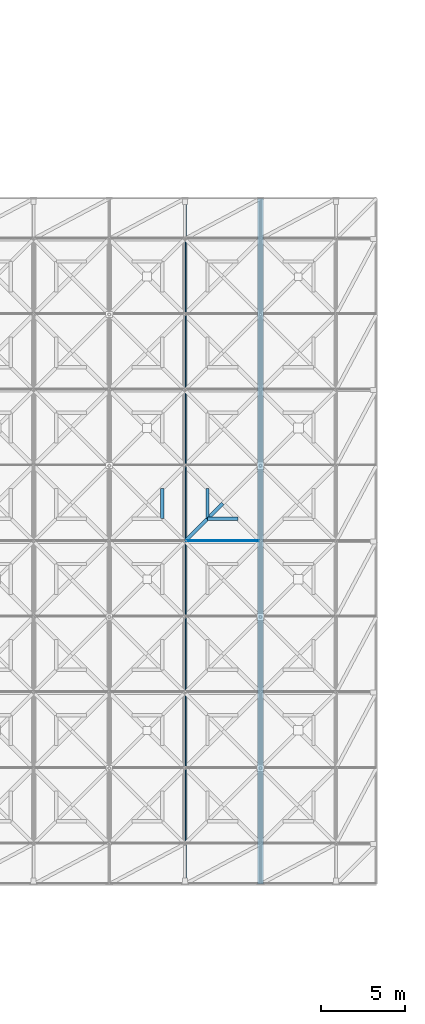
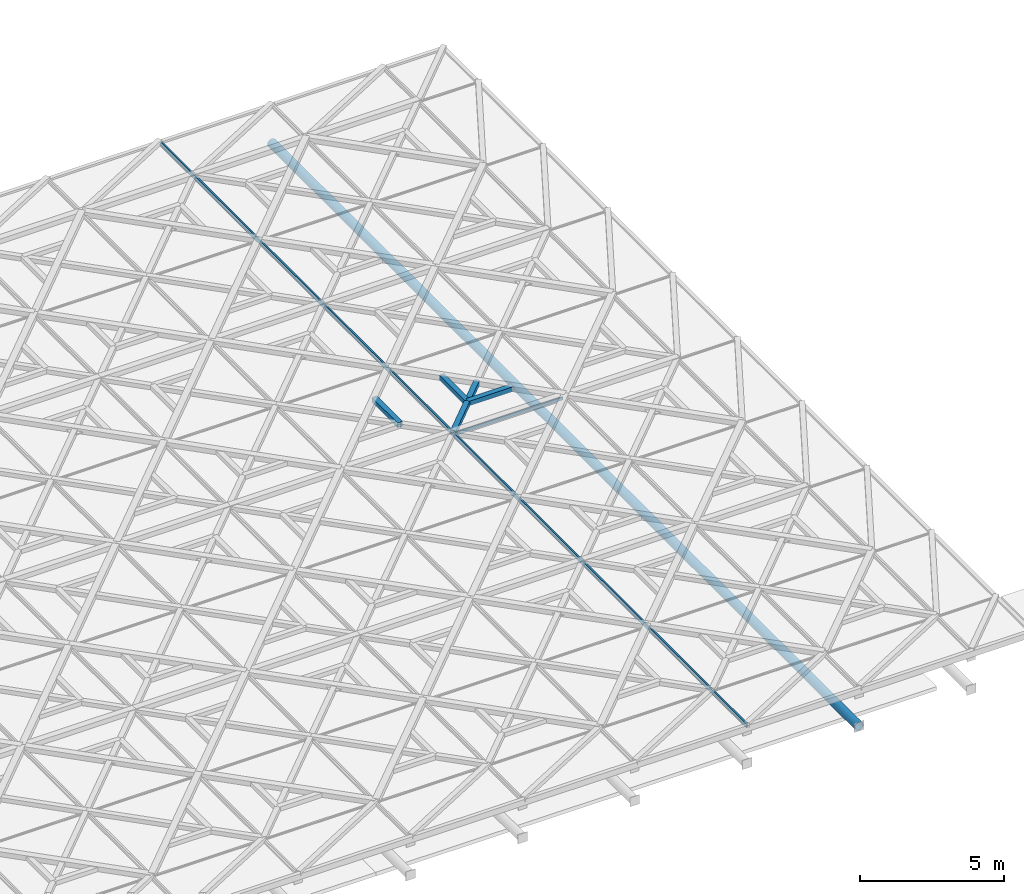
# One storey, part 45 of 80: 7 members, 1 element without a shape of its own.
"""IFC4 building model written with IfcOpenShell, lengths in metres."""

import ifcopenshell
import ifcopenshell.guid

model = None  # the IFC model being written
_history = None  # IfcOwnerHistory: only IFC2X3 demands one
_inside = {}  # id of a spatial element -> (the spatial element, [elements in it])
_under = {}  # id of a project, library or spatial element -> (it, [spatial elements below it])
_declared = {}  # id of a project -> (the project, [libraries it declares])
_typed = {}  # id of a type object -> (the type object, [elements of that type])
_made_of = {}  # id of a material, layer set ... -> (it, [elements and type objects made of it])


def new_model(schema):
    """Start an empty IFC model of exactly this schema.

    Asked for "IFC4X3", IfcOpenShell would pick the latest addendum, in which some entities
    have other attributes; the version numbers below select the first issue.
    IFC2X3 requires an IfcOwnerHistory on every rooted entity: one is made here for all.
    """
    global model, _history
    if schema == "IFC4X3":
        model = ifcopenshell.file(schema_version=(4, 3, 0, 0))
    else:
        model = ifcopenshell.file(schema=schema)
    _inside.clear()
    _under.clear()
    _declared.clear()
    _typed.clear()
    _made_of.clear()
    _history = None
    if model.schema == "IFC2X3":
        org = make("IfcOrganization", Name="unknown")
        user = make(
            "IfcPersonAndOrganization",
            ThePerson=make("IfcPerson", FamilyName="unknown"),
            TheOrganization=org,
        )
        app = make(
            "IfcApplication",
            ApplicationDeveloper=org,
            Version="unknown",
            ApplicationFullName="unknown",
            ApplicationIdentifier="unknown",
        )
        _history = make(
            "IfcOwnerHistory",
            OwningUser=user,
            OwningApplication=app,
            ChangeAction="ADDED",
            CreationDate=0,
        )
    return model


def make(cls, **values):
    """One entity of the class cls with the attributes given. An attribute that is None is left unset."""
    return model.create_entity(
        cls, **{name: value for name, value in values.items() if value is not None}
    )


def rooted(cls, **values):
    """An entity with a GlobalId (a new one), such as an element, a storey or a relation."""
    return make(cls, GlobalId=ifcopenshell.guid.new(), OwnerHistory=_history, **values)


def si_unit(unit_type, name, prefix=None):
    """IfcSIUnit, for example si_unit("LENGTHUNIT", "METRE", prefix="MILLI")."""
    return make("IfcSIUnit", UnitType=unit_type, Prefix=prefix, Name=name)


def assignment(units):
    """IfcUnitAssignment: the units of a project."""
    return None if units is None else make("IfcUnitAssignment", Units=units)


def point(xyz):
    """IfcCartesianPoint."""
    return None if xyz is None else make("IfcCartesianPoint", Coordinates=xyz)


def direction(xyz):
    """IfcDirection."""
    return None if xyz is None else make("IfcDirection", DirectionRatios=xyz)


def frame(location, z_axis=None, x_axis=None):
    """IfcAxis2Placement3D, a coordinate frame: its origin and axes. An axis left out is left unset."""
    return make(
        "IfcAxis2Placement3D",
        Location=point(location),
        Axis=direction(z_axis),
        RefDirection=direction(x_axis),
    )


def frame_2d(location, x_axis=None):
    """IfcAxis2Placement2D, a coordinate frame in the plane: its origin and x axis."""
    return make(
        "IfcAxis2Placement2D", Location=point(location), RefDirection=direction(x_axis)
    )


def origin():
    """The frame at (0, 0, 0) with its axes left unset."""
    return frame((0.0, 0.0, 0.0))


def origin_2d():
    """The frame at (0, 0) in the plane with its x axis left unset."""
    return frame_2d((0.0, 0.0))


def place(relative_to, where):
    """IfcLocalPlacement: puts the frame where relative to a parent placement (None: the world)."""
    return make(
        "IfcLocalPlacement", PlacementRelTo=relative_to, RelativePlacement=where
    )


def context(
    kind, dimensions, precision=None, world=None, true_north=None, identifier=None
):
    """IfcGeometricRepresentationContext, for example the 3D "Model" context."""
    return make(
        "IfcGeometricRepresentationContext",
        ContextIdentifier=identifier,
        ContextType=kind,
        CoordinateSpaceDimension=dimensions,
        Precision=precision,
        WorldCoordinateSystem=world,
        TrueNorth=true_north,
    )


def subcontext(parent, identifier, kind, view, scale=None):
    """IfcGeometricRepresentationSubContext, for example "Body" below "Model"."""
    return make(
        "IfcGeometricRepresentationSubContext",
        ContextIdentifier=identifier,
        ContextType=kind,
        ParentContext=parent,
        TargetScale=scale,
        TargetView=view,
    )


def project(units=None, contexts=None):
    """IfcProject with its units and contexts."""
    return rooted(
        "IfcProject",
        Name="project",
        RepresentationContexts=contexts,
        UnitsInContext=assignment(units),
    )


def spatial(cls, under=None, at=None, **own):
    """A site, building, storey or space (cls), placed at a placement, below another one or the project."""
    s = rooted(cls, ObjectPlacement=at, **own)
    if under is not None:
        _under.setdefault(under.id(), (under, []))[1].append(s)
    return s


def profile(cls, at=None, kind="AREA", **sizes):
    """A parametric profile (cls). Its sizes go by their IFC names, for example OverallWidth=200.0."""
    return make(cls, ProfileType=kind, Position=at, **sizes)


def rectangle(**sizes):
    """IfcRectangleProfileDef."""
    return profile("IfcRectangleProfileDef", **sizes)


def hollow_rectangle(**sizes):
    """IfcRectangleHollowProfileDef."""
    return profile("IfcRectangleHollowProfileDef", **sizes)


def hollow_circle(**sizes):
    """IfcCircleHollowProfileDef."""
    return profile("IfcCircleHollowProfileDef", **sizes)


def extrude(swept, where, along, depth):
    """IfcExtrudedAreaSolid: the profile swept, set in the frame where, extruded along a direction by depth."""
    return make(
        "IfcExtrudedAreaSolid",
        SweptArea=swept,
        Position=where,
        ExtrudedDirection=direction(along),
        Depth=depth,
    )


def shape(context_of_items, identifier, shape_type, items):
    """IfcShapeRepresentation: the items that make up one representation, for example the "Body"."""
    return make(
        "IfcShapeRepresentation",
        ContextOfItems=context_of_items,
        RepresentationIdentifier=identifier,
        RepresentationType=shape_type,
        Items=items,
    )


def material(Name=None, Category=None):
    """IfcMaterial."""
    return make("IfcMaterial", Name=Name, Category=Category)


def material_profile(
    of_material, cross_section, Name=None, Category=None, Priority=None
):
    """IfcMaterialProfile: a cross section and its material."""
    return make(
        "IfcMaterialProfile",
        Name=Name,
        Material=of_material,
        Profile=cross_section,
        Priority=Priority,
        Category=Category,
    )


def profile_set(profiles, Name=None, composite=None):
    """IfcMaterialProfileSet."""
    return make(
        "IfcMaterialProfileSet",
        Name=Name,
        MaterialProfiles=profiles,
        CompositeProfile=composite,
    )


def made_of(thing, what):
    """Note that an element or type object is made of a material, layer set ...; save() writes the relation."""
    if what is not None:
        _made_of.setdefault(what.id(), (what, []))[1].append(thing)
    return thing


def type_object(cls, material=None, **own):
    """A type object (cls), such as IfcWallType, which elements share."""
    return made_of(rooted(cls, **own), material)


def element(
    cls,
    number,
    at=None,
    inside=None,
    cuts=None,
    type_object=None,
    material=None,
    context=None,
    identifier="Body",
    shape_type=None,
    held_by="IfcProductDefinitionShape",
    body=None,
    shapes=None,
    **own,
):
    """One element of the class cls, such as IfcWall. Its Tag is "e" and its number.

    at: its placement. inside: the storey or other place that contains it. cuts: it is an
    opening in that element (IfcRelVoidsElement). A single representation is given by context,
    identifier, shape_type and body (its items); several are given by shapes. held_by: the class
    of the entity that holds the representations. save() writes the other relations.
    """
    e = rooted(cls, Tag="e%d" % number, ObjectPlacement=at, **own)
    if body is not None:
        shapes = [shape(context, identifier, shape_type, body)]
    if shapes is not None:
        e.Representation = make(held_by, Representations=shapes)
    if inside is not None:
        _inside.setdefault(inside.id(), (inside, []))[1].append(e)
    if cuts is not None:
        rooted(
            "IfcRelVoidsElement", RelatingBuildingElement=cuts, RelatedOpeningElement=e
        )
    if type_object is not None:
        _typed.setdefault(type_object.id(), (type_object, []))[1].append(e)
    return made_of(e, material)


def aggregate(whole, parts):
    """IfcRelAggregates: a whole, such as a stair, and the parts it consists of."""
    return rooted("IfcRelAggregates", RelatingObject=whole, RelatedObjects=parts)


def save(model, path):
    """Write the relations noted so far, then the file.

    IfcRelAggregates (storeys below a building ...), IfcRelContainedInSpatialStructure (elements
    in a storey), IfcRelDefinesByType, IfcRelAssociatesMaterial and IfcRelDeclares: one each for
    every whole, place, type object, material and project.
    """
    for whole, parts in _under.values():
        aggregate(whole, parts)
    for where, things in _inside.values():
        rooted(
            "IfcRelContainedInSpatialStructure",
            RelatedElements=things,
            RelatingStructure=where,
        )
    for kind, things in _typed.values():
        rooted("IfcRelDefinesByType", RelatedObjects=things, RelatingType=kind)
    for what, things in _made_of.values():
        rooted("IfcRelAssociatesMaterial", RelatedObjects=things, RelatingMaterial=what)
    for by, libraries in _declared.values():
        rooted("IfcRelDeclares", RelatingContext=by, RelatedDefinitions=libraries)
    model.write(path)


model = new_model("IFC4")

# Units and contexts
model_context = context("Model", 3, precision=1e-05, world=origin(), true_north=direction((0.0, 1.0)))
body_context = subcontext(model_context, "Body", "Model", "MODEL_VIEW")
ifc_project = project(units=[si_unit("LENGTHUNIT", "METRE"), si_unit("AREAUNIT", "SQUARE_METRE"), si_unit("VOLUMEUNIT", "CUBIC_METRE"), si_unit("PLANEANGLEUNIT", "RADIAN"), si_unit("MASSUNIT", "GRAM", prefix="KILO"), si_unit("THERMODYNAMICTEMPERATUREUNIT", "KELVIN"), si_unit("POWERUNIT", "WATT")], contexts=[model_context])

# Site, building, storey
site_placement = place(None, origin())
site = spatial("IfcSite", under=ifc_project, at=site_placement, CompositionType="ELEMENT")
building_placement = place(site_placement, origin())
building = spatial("IfcBuilding", under=site, at=building_placement, Name="Tallowbark Science Centre", CompositionType="ELEMENT")
storey_placement = place(building_placement, frame((0.0, 0.0, 25.949951171875)))
storey = spatial("IfcBuildingStorey", under=building, at=storey_placement, Name="ROOF", CompositionType="ELEMENT", Elevation=25.949951171875)

# Curtain wall, members
ifc_material_1 = material(Name="Blue-Tinted Laminated Low-E Skylight Glass", Category="glass")
curtain_wall_type = type_object("IfcCurtainWallType", Name="CW-SKY-ROOF", PredefinedType="NOTDEFINED", material=ifc_material_1)
curtain_wall_placement = place(storey_placement, origin())
curtain_wall = element("IfcCurtainWall", 1, at=curtain_wall_placement, inside=storey, type_object=curtain_wall_type, Name="Exhibition Star-Screen Skylight Bay 10", PredefinedType="NOTDEFINED")
ifc_material_2 = material(Name="Anodised Architectural Aluminium Alloy 6063-T6", Category="aluminium")
ifc_material_profile_1 = material_profile(ifc_material_2, rectangle(XDim=0.06494140625, YDim=0.179931640625, at=origin_2d()), Name="ALU65x180")
ifc_profile_set_1 = profile_set([ifc_material_profile_1], Name="Anodised Architectural Aluminium Alloy 6063-T6")
member_type_1 = type_object("IfcMemberType", Name="CWM-SKY-MUL", PredefinedType="MULLION", material=ifc_profile_set_1)
member_1_placement = place(storey_placement, frame((94.5400390625, 2.14990234375, 0.35205078125), z_axis=(0.0, 1.0, 0.0), x_axis=(-1.0, 0.0, 0.0)))
member_1 = element("IfcMember", 2, at=member_1_placement, type_object=member_type_1, Name="Skylight Bay 10 Mullion W", PredefinedType="MULLION", context=body_context, shape_type="SweptSolid", body=[
    extrude(rectangle(XDim=0.06494140625, YDim=0.179931640625, at=origin_2d()), origin(), (0.0, 0.0, 1.0), 40.7001953125),
])
ifc_material_profile_2 = material_profile(ifc_material_2, rectangle(XDim=0.054931640625, YDim=0.1201171875, at=origin_2d()), Name="ALU55x120")
ifc_profile_set_2 = profile_set([ifc_material_profile_2], Name="Anodised Architectural Aluminium Alloy 6063-T6")
member_type_2 = type_object("IfcMemberType", Name="CWM-SKY-TRN", PredefinedType="USERDEFINED", material=ifc_profile_set_2)
member_2_placement = place(storey_placement, frame((94.580078125, 22.5400390625, 0.35205078125), z_axis=(1.0, 0.0, 0.0), x_axis=(0.0, 1.0, 0.0)))
member_2 = element("IfcMember", 3, at=member_2_placement, type_object=member_type_2, Name="Skylight Bay 10 Transom 6", ObjectType="TRANSOM", PredefinedType="USERDEFINED", context=body_context, shape_type="SweptSolid", body=[
    extrude(rectangle(XDim=0.054931640625, YDim=0.1201171875, at=origin_2d()), origin(), (0.0, 0.0, 1.0), 4.33984375),
])
aggregate(curtain_wall, [member_1, member_2])

# Members
ifc_material_3 = material(Name="White Architectural Painted Steel Grade C350L0 (350 MPa)", Category="steel")
ifc_material_profile_3 = material_profile(ifc_material_3, hollow_rectangle(XDim=0.199951171875, YDim=0.199951171875, WallThickness=0.009033203125, at=origin_2d()), Name="200x200x9.0SHS")
ifc_profile_set_3 = profile_set([ifc_material_profile_3], Name="White Architectural Painted Steel Grade C350L0 (350 MPa)")
member_type_3 = type_object("IfcMemberType", Name="SCR-STAR139", PredefinedType="BRACE", material=ifc_profile_set_3)
member_3_placement = place(storey_placement, frame((94.5, 22.5, 0.449951171875), z_axis=(0.707106781187, 0.707106781187, 0.0), x_axis=(-0.707106781187, 0.707106781187, 0.0)))
element("IfcMember", 4, at=member_3_placement, inside=storey, type_object=member_type_3, Name="Star Screen Continuous X-Diagonal D1A TOP-72", PredefinedType="BRACE", context=body_context, shape_type="SweptSolid", body=[
    extrude(hollow_rectangle(XDim=0.199951171875, YDim=0.199951171875, WallThickness=0.009033203125, at=origin_2d()), origin(), (0.0, 0.0, 1.0), 3.181884765625),
])
ifc_material_profile_4 = material_profile(ifc_material_3, hollow_rectangle(XDim=0.199951171875, YDim=0.199951171875, WallThickness=0.009033203125, at=origin_2d()), Name="200x200x9.0SHS")
ifc_profile_set_4 = profile_set([ifc_material_profile_4], Name="White Architectural Painted Steel Grade C350L0 (350 MPa)")
member_type_4 = type_object("IfcMemberType", Name="SCR-SUB150", PredefinedType="BRACE", material=ifc_profile_set_4)
for number, where, z_axis, x_axis, name in (
    (5, (93.14990234375, 23.85009765625, 0.449951171875), (0.0, 1.0, 0.0), (-1.0, 0.0, 0.0), "Star Screen Octagram Point Ray TOP-68-4"),
    (6, (95.85009765625, 23.85009765625, 0.449951171875), (1.0, 0.0, 0.0), (0.0, 1.0, 0.0), "Star Screen Octagram Point Ray TOP-72-1"),
    (7, (95.85009765625, 23.85009765625, 0.449951171875), (0.0, 1.0, 0.0), (-1.0, 0.0, 0.0), "Star Screen Octagram Point Ray TOP-72-2"),
):
    element("IfcMember", number, at=place(storey_placement, frame(where, z_axis=z_axis, x_axis=x_axis)), inside=storey, type_object=member_type_4, Name=name, PredefinedType="BRACE", context=body_context, shape_type="SweptSolid", body=[
        extrude(hollow_rectangle(XDim=0.199951171875, YDim=0.199951171875, WallThickness=0.009033203125, at=origin_2d()), origin(), (0.0, 0.0, 1.0), 1.7998046875),
    ])
ifc_material_profile_5 = material_profile(ifc_material_3, hollow_circle(Radius=0.177734375, WallThickness=0.0126953125, at=origin_2d()), Name="355.6x12.7CHS")
ifc_profile_set_5 = profile_set([ifc_material_profile_5], Name="White Architectural Painted Steel Grade C350L0 (350 MPa)")
member_type_5 = type_object("IfcMemberType", Name="TR-CHD355", PredefinedType="CHORD", material=ifc_profile_set_5)
member_4_placement = place(storey_placement, frame((99.0, 2.10009765625, -1.199951171875), z_axis=(0.0, 1.0, 0.0), x_axis=(-1.0, 0.0, 0.0)))
element("IfcMember", 8, at=member_4_placement, inside=storey, type_object=member_type_5, Name="Exhibition Roof Truss Bottom Chord 10", PredefinedType="CHORD", context=body_context, shape_type="SweptSolid", body=[
    extrude(hollow_circle(Radius=0.177734375, WallThickness=0.0126953125, at=origin_2d()), origin(), (0.0, 0.0, 1.0), 40.7998046875),
])

save(model, "model.ifc")
